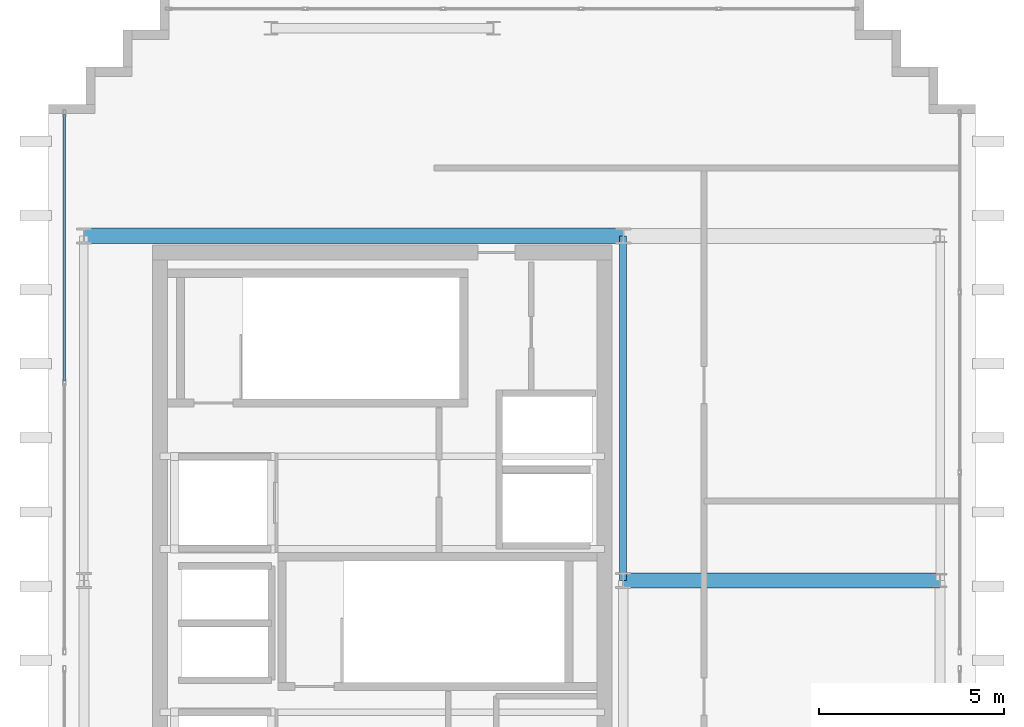
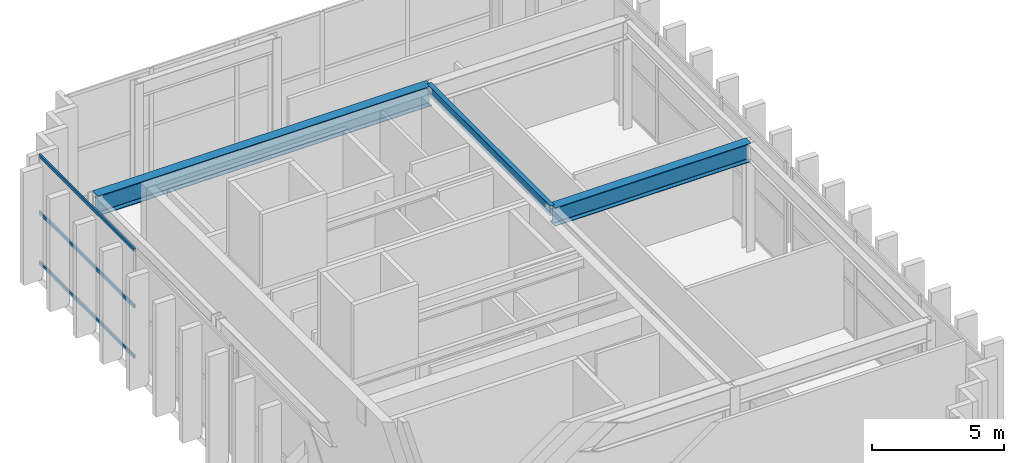
# One storey, part 7 of 14: 3 beams, 3 members, 1 element without a shape of its own.
"""IFC4 building model written with IfcOpenShell, lengths in metres."""

import ifcopenshell
import ifcopenshell.guid

model = None  # the IFC model being written
_history = None  # IfcOwnerHistory: only IFC2X3 demands one
_inside = {}  # id of a spatial element -> (the spatial element, [elements in it])
_under = {}  # id of a project, library or spatial element -> (it, [spatial elements below it])
_declared = {}  # id of a project -> (the project, [libraries it declares])
_typed = {}  # id of a type object -> (the type object, [elements of that type])
_made_of = {}  # id of a material, layer set ... -> (it, [elements and type objects made of it])


def new_model(schema):
    """Start an empty IFC model of exactly this schema.

    Asked for "IFC4X3", IfcOpenShell would pick the latest addendum, in which some entities
    have other attributes; the version numbers below select the first issue.
    IFC2X3 requires an IfcOwnerHistory on every rooted entity: one is made here for all.
    """
    global model, _history
    if schema == "IFC4X3":
        model = ifcopenshell.file(schema_version=(4, 3, 0, 0))
    else:
        model = ifcopenshell.file(schema=schema)
    _inside.clear()
    _under.clear()
    _declared.clear()
    _typed.clear()
    _made_of.clear()
    _history = None
    if model.schema == "IFC2X3":
        org = make("IfcOrganization", Name="unknown")
        user = make(
            "IfcPersonAndOrganization",
            ThePerson=make("IfcPerson", FamilyName="unknown"),
            TheOrganization=org,
        )
        app = make(
            "IfcApplication",
            ApplicationDeveloper=org,
            Version="unknown",
            ApplicationFullName="unknown",
            ApplicationIdentifier="unknown",
        )
        _history = make(
            "IfcOwnerHistory",
            OwningUser=user,
            OwningApplication=app,
            ChangeAction="ADDED",
            CreationDate=0,
        )
    return model


def make(cls, **values):
    """One entity of the class cls with the attributes given. An attribute that is None is left unset."""
    return model.create_entity(
        cls, **{name: value for name, value in values.items() if value is not None}
    )


def rooted(cls, **values):
    """An entity with a GlobalId (a new one), such as an element, a storey or a relation."""
    return make(cls, GlobalId=ifcopenshell.guid.new(), OwnerHistory=_history, **values)


def si_unit(unit_type, name, prefix=None):
    """IfcSIUnit, for example si_unit("LENGTHUNIT", "METRE", prefix="MILLI")."""
    return make("IfcSIUnit", UnitType=unit_type, Prefix=prefix, Name=name)


def assignment(units):
    """IfcUnitAssignment: the units of a project."""
    return None if units is None else make("IfcUnitAssignment", Units=units)


def point(xyz):
    """IfcCartesianPoint."""
    return None if xyz is None else make("IfcCartesianPoint", Coordinates=xyz)


def direction(xyz):
    """IfcDirection."""
    return None if xyz is None else make("IfcDirection", DirectionRatios=xyz)


def frame(location, z_axis=None, x_axis=None):
    """IfcAxis2Placement3D, a coordinate frame: its origin and axes. An axis left out is left unset."""
    return make(
        "IfcAxis2Placement3D",
        Location=point(location),
        Axis=direction(z_axis),
        RefDirection=direction(x_axis),
    )


def frame_2d(location, x_axis=None):
    """IfcAxis2Placement2D, a coordinate frame in the plane: its origin and x axis."""
    return make(
        "IfcAxis2Placement2D", Location=point(location), RefDirection=direction(x_axis)
    )


def origin():
    """The frame at (0, 0, 0) with its axes left unset."""
    return frame((0.0, 0.0, 0.0))


def origin_2d():
    """The frame at (0, 0) in the plane with its x axis left unset."""
    return frame_2d((0.0, 0.0))


def place(relative_to, where):
    """IfcLocalPlacement: puts the frame where relative to a parent placement (None: the world)."""
    return make(
        "IfcLocalPlacement", PlacementRelTo=relative_to, RelativePlacement=where
    )


def context(
    kind, dimensions, precision=None, world=None, true_north=None, identifier=None
):
    """IfcGeometricRepresentationContext, for example the 3D "Model" context."""
    return make(
        "IfcGeometricRepresentationContext",
        ContextIdentifier=identifier,
        ContextType=kind,
        CoordinateSpaceDimension=dimensions,
        Precision=precision,
        WorldCoordinateSystem=world,
        TrueNorth=true_north,
    )


def subcontext(parent, identifier, kind, view, scale=None):
    """IfcGeometricRepresentationSubContext, for example "Body" below "Model"."""
    return make(
        "IfcGeometricRepresentationSubContext",
        ContextIdentifier=identifier,
        ContextType=kind,
        ParentContext=parent,
        TargetScale=scale,
        TargetView=view,
    )


def project(units=None, contexts=None):
    """IfcProject with its units and contexts."""
    return rooted(
        "IfcProject",
        Name="project",
        RepresentationContexts=contexts,
        UnitsInContext=assignment(units),
    )


def spatial(cls, under=None, at=None, **own):
    """A site, building, storey or space (cls), placed at a placement, below another one or the project."""
    s = rooted(cls, ObjectPlacement=at, **own)
    if under is not None:
        _under.setdefault(under.id(), (under, []))[1].append(s)
    return s


def profile(cls, at=None, kind="AREA", **sizes):
    """A parametric profile (cls). Its sizes go by their IFC names, for example OverallWidth=200.0."""
    return make(cls, ProfileType=kind, Position=at, **sizes)


def hollow_rectangle(**sizes):
    """IfcRectangleHollowProfileDef."""
    return profile("IfcRectangleHollowProfileDef", **sizes)


def i_section(**sizes):
    """IfcIShapeProfileDef."""
    return profile("IfcIShapeProfileDef", **sizes)


def extrude(swept, where, along, depth):
    """IfcExtrudedAreaSolid: the profile swept, set in the frame where, extruded along a direction by depth."""
    return make(
        "IfcExtrudedAreaSolid",
        SweptArea=swept,
        Position=where,
        ExtrudedDirection=direction(along),
        Depth=depth,
    )


def shape(context_of_items, identifier, shape_type, items):
    """IfcShapeRepresentation: the items that make up one representation, for example the "Body"."""
    return make(
        "IfcShapeRepresentation",
        ContextOfItems=context_of_items,
        RepresentationIdentifier=identifier,
        RepresentationType=shape_type,
        Items=items,
    )


def source(mapping_origin, context_of_items, identifier, shape_type, items):
    """IfcRepresentationMap: a shape defined once, which mapped items show again and again."""
    return make(
        "IfcRepresentationMap",
        MappingOrigin=mapping_origin,
        MappedRepresentation=shape(context_of_items, identifier, shape_type, items),
    )


def transform(
    local_origin,
    x_axis=None,
    y_axis=None,
    z_axis=None,
    scale=None,
    scale2=None,
    scale3=None,
    uniform=True,
):
    """IfcCartesianTransformationOperator3D, or its non-uniform kind. x_axis, y_axis, z_axis: its Axis1, 2, 3."""
    if uniform:
        return make(
            "IfcCartesianTransformationOperator3D",
            Axis1=direction(x_axis),
            Axis2=direction(y_axis),
            LocalOrigin=point(local_origin),
            Scale=scale,
            Axis3=direction(z_axis),
        )
    return make(
        "IfcCartesianTransformationOperator3DnonUniform",
        Axis1=direction(x_axis),
        Axis2=direction(y_axis),
        LocalOrigin=point(local_origin),
        Scale=scale,
        Axis3=direction(z_axis),
        Scale2=scale2,
        Scale3=scale3,
    )


def mapped(mapping_source, mapping_target):
    """IfcMappedItem: shows the shape of a source again, moved by a transform."""
    return make(
        "IfcMappedItem", MappingSource=mapping_source, MappingTarget=mapping_target
    )


def material(Name=None, Category=None):
    """IfcMaterial."""
    return make("IfcMaterial", Name=Name, Category=Category)


def layer(
    of_material, thickness, ventilated=None, Name=None, Category=None, Priority=None
):
    """IfcMaterialLayer: one layer of a wall or slab, of a material (None: an air gap)."""
    return make(
        "IfcMaterialLayer",
        Material=of_material,
        LayerThickness=thickness,
        IsVentilated=ventilated,
        Name=Name,
        Category=Category,
        Priority=Priority,
    )


def layer_set(layers, Name=None):
    """IfcMaterialLayerSet."""
    return make("IfcMaterialLayerSet", MaterialLayers=layers, LayerSetName=Name)


def material_profile(
    of_material, cross_section, Name=None, Category=None, Priority=None
):
    """IfcMaterialProfile: a cross section and its material."""
    return make(
        "IfcMaterialProfile",
        Name=Name,
        Material=of_material,
        Profile=cross_section,
        Priority=Priority,
        Category=Category,
    )


def profile_set(profiles, Name=None, composite=None):
    """IfcMaterialProfileSet."""
    return make(
        "IfcMaterialProfileSet",
        Name=Name,
        MaterialProfiles=profiles,
        CompositeProfile=composite,
    )


def made_of(thing, what):
    """Note that an element or type object is made of a material, layer set ...; save() writes the relation."""
    if what is not None:
        _made_of.setdefault(what.id(), (what, []))[1].append(thing)
    return thing


def type_object(cls, material=None, **own):
    """A type object (cls), such as IfcWallType, which elements share."""
    return made_of(rooted(cls, **own), material)


def element(
    cls,
    number,
    at=None,
    inside=None,
    cuts=None,
    type_object=None,
    material=None,
    context=None,
    identifier="Body",
    shape_type=None,
    held_by="IfcProductDefinitionShape",
    body=None,
    shapes=None,
    **own,
):
    """One element of the class cls, such as IfcWall. Its Tag is "e" and its number.

    at: its placement. inside: the storey or other place that contains it. cuts: it is an
    opening in that element (IfcRelVoidsElement). A single representation is given by context,
    identifier, shape_type and body (its items); several are given by shapes. held_by: the class
    of the entity that holds the representations. save() writes the other relations.
    """
    e = rooted(cls, Tag="e%d" % number, ObjectPlacement=at, **own)
    if body is not None:
        shapes = [shape(context, identifier, shape_type, body)]
    if shapes is not None:
        e.Representation = make(held_by, Representations=shapes)
    if inside is not None:
        _inside.setdefault(inside.id(), (inside, []))[1].append(e)
    if cuts is not None:
        rooted(
            "IfcRelVoidsElement", RelatingBuildingElement=cuts, RelatedOpeningElement=e
        )
    if type_object is not None:
        _typed.setdefault(type_object.id(), (type_object, []))[1].append(e)
    return made_of(e, material)


def aggregate(whole, parts):
    """IfcRelAggregates: a whole, such as a stair, and the parts it consists of."""
    return rooted("IfcRelAggregates", RelatingObject=whole, RelatedObjects=parts)


def save(model, path):
    """Write the relations noted so far, then the file.

    IfcRelAggregates (storeys below a building ...), IfcRelContainedInSpatialStructure (elements
    in a storey), IfcRelDefinesByType, IfcRelAssociatesMaterial and IfcRelDeclares: one each for
    every whole, place, type object, material and project.
    """
    for whole, parts in _under.values():
        aggregate(whole, parts)
    for where, things in _inside.values():
        rooted(
            "IfcRelContainedInSpatialStructure",
            RelatedElements=things,
            RelatingStructure=where,
        )
    for kind, things in _typed.values():
        rooted("IfcRelDefinesByType", RelatedObjects=things, RelatingType=kind)
    for what, things in _made_of.values():
        rooted("IfcRelAssociatesMaterial", RelatedObjects=things, RelatingMaterial=what)
    for by, libraries in _declared.values():
        rooted("IfcRelDeclares", RelatingContext=by, RelatedDefinitions=libraries)
    model.write(path)


model = new_model("IFC4")

# Units and contexts
model_context = context("Model", 3, precision=1e-05, world=origin(), true_north=direction((0.0, 1.0)))
body_context = subcontext(model_context, "Body", "Model", "MODEL_VIEW")
ifc_project = project(units=[si_unit("LENGTHUNIT", "METRE"), si_unit("AREAUNIT", "SQUARE_METRE"), si_unit("VOLUMEUNIT", "CUBIC_METRE"), si_unit("PLANEANGLEUNIT", "RADIAN"), si_unit("MASSUNIT", "GRAM", prefix="KILO")], contexts=[model_context])

# Site, building, storey
site_placement = place(None, origin())
site = spatial("IfcSite", under=ifc_project, at=site_placement, CompositionType="ELEMENT")
building_placement = place(site_placement, origin())
building = spatial("IfcBuilding", under=site, at=building_placement, Name="Ocotamira Hotel", CompositionType="ELEMENT")
storey_placement = place(building_placement, frame((0.0, 0.0, 309.60009765625)))
storey = spatial("IfcBuildingStorey", under=building, at=storey_placement, Name="L79", CompositionType="ELEMENT", Elevation=309.60009765625)

# Beams
ifc_material_1 = material(Name="Steel ASTM A992 Grade 50", Category="steel")
ifc_material_profile_1 = material_profile(ifc_material_1, i_section(OverallWidth=0.41796875, OverallDepth=0.927001953125, WebThickness=0.019287109375, FlangeThickness=0.031982421875, FilletRadius=0.02392578125, at=origin_2d()), Name="W36X231")
ifc_profile_set_1 = profile_set([ifc_material_profile_1], Name="Steel ASTM A992 Grade 50")
beam_type_1 = type_object("IfcBeamType", Name="BM-GIRD-W36X231", PredefinedType="BEAM", material=ifc_profile_set_1)
shared_shape_1 = source(origin(), body_context, "Body", "SweptSolid", [
    extrude(i_section(OverallWidth=0.41796875, OverallDepth=0.927001953125, WebThickness=0.019287109375, FlangeThickness=0.031982421875, FilletRadius=0.02392578125, at=origin_2d()), origin(), (0.0, 0.0, 1.0), 14.550048828125),
])
beam_1_placement = place(storey_placement, frame((8.949951171875, 37.449951171875, 4.536376953125), z_axis=(1.0, 0.0, 0.0), x_axis=(0.0, 1.0, 0.0)))
element("IfcBeam", 1, at=beam_1_placement, inside=storey, type_object=beam_type_1, Name="L79 Girder Y37.45 X8.95-23.5", PredefinedType="BEAM", context=body_context, shape_type="MappedRepresentation", body=[
    mapped(shared_shape_1, transform((0.0, 0.0, 0.0), scale=1.0)),
])
ifc_material_profile_2 = material_profile(ifc_material_1, i_section(OverallWidth=0.18994140625, OverallDepth=0.45703125, WebThickness=0.009033203125, FlangeThickness=0.014404296875, FilletRadius=0.010009765625, at=origin_2d()), Name="W18X50")
ifc_profile_set_2 = profile_set([ifc_material_profile_2], Name="Steel ASTM A992 Grade 50")
beam_type_2 = type_object("IfcBeamType", Name="BM-SEC-W18X50", PredefinedType="JOIST", material=ifc_profile_set_2)
shared_shape_2 = source(origin(), body_context, "Body", "SweptSolid", [
    extrude(i_section(OverallWidth=0.18994140625, OverallDepth=0.45703125, WebThickness=0.009033203125, FlangeThickness=0.014404296875, FilletRadius=0.010009765625, at=origin_2d()), origin(), (0.0, 0.0, 1.0), 9.300048828125),
])
beam_2_placement = place(storey_placement, frame((23.5, 28.14990234375, 4.771484375), z_axis=(0.0, 1.0, 0.0), x_axis=(-1.0, 0.0, 0.0)))
element("IfcBeam", 2, at=beam_2_placement, inside=storey, type_object=beam_type_2, Name="L79 Beam X23.5 Y28.15-37.45", PredefinedType="JOIST", context=body_context, shape_type="MappedRepresentation", body=[
    mapped(shared_shape_2, transform((0.0, 0.0, 0.0), scale=1.0)),
])
ifc_material_profile_3 = material_profile(ifc_material_1, i_section(OverallWidth=0.39990234375, OverallDepth=0.85595703125, WebThickness=0.018310546875, FlangeThickness=0.029296875, FilletRadius=0.02001953125, at=origin_2d()), Name="W33X201")
ifc_profile_set_3 = profile_set([ifc_material_profile_3], Name="Steel ASTM A992 Grade 50")
beam_type_3 = type_object("IfcBeamType", Name="BM-GIRD-W33X201", PredefinedType="BEAM", material=ifc_profile_set_3)
shared_shape_3 = source(origin(), body_context, "Body", "SweptSolid", [
    extrude(i_section(OverallWidth=0.39990234375, OverallDepth=0.85595703125, WebThickness=0.018310546875, FlangeThickness=0.029296875, FilletRadius=0.02001953125, at=origin_2d()), origin(), (0.0, 0.0, 1.0), 8.550048828125),
])
beam_3_placement = place(storey_placement, frame((23.5, 28.14990234375, 4.572021484375), z_axis=(1.0, 0.0, 0.0), x_axis=(0.0, 1.0, 0.0)))
element("IfcBeam", 3, at=beam_3_placement, inside=storey, type_object=beam_type_3, Name="L79 Girder Y28.15 X23.5-32.05", PredefinedType="BEAM", context=body_context, shape_type="MappedRepresentation", body=[
    mapped(shared_shape_3, transform((0.0, 0.0, 0.0), scale=1.0)),
])

# Curtain wall, members
ifc_material_2 = material(Name="Anodised pale-metal aluminium and solar glass", Category="aluminium")
ifc_layer = layer(ifc_material_2, 0.2099609375)
ifc_layer_set = layer_set([ifc_layer], Name="Anodised pale-metal aluminium and solar glass")
curtain_wall_type = type_object("IfcCurtainWallType", Name="CW-SYS7-PEAK", PredefinedType="NOTDEFINED", material=ifc_layer_set)
curtain_wall_placement = place(storey_placement, origin())
curtain_wall = element("IfcCurtainWall", 4, at=curtain_wall_placement, inside=storey, type_object=curtain_wall_type, Name="L79 Curtain Wall CW-7 CW-L79-W2", PredefinedType="NOTDEFINED")
ifc_material_3 = material(Name="Anodised pale-metal aluminium 6063-T6", Category="aluminium")
ifc_material_profile_4 = material_profile(ifc_material_3, hollow_rectangle(XDim=0.074951171875, YDim=0.14990234375, WallThickness=0.006103515625, at=origin_2d()), Name="HSS150X75X6")
ifc_profile_set_4 = profile_set([ifc_material_profile_4], Name="Anodised pale-metal aluminium 6063-T6")
member_type = type_object("IfcMemberType", Name="CWT-150X75", PredefinedType="USERDEFINED", material=ifc_profile_set_4)
shared_shape_4 = source(origin(), body_context, "Body", "SweptSolid", [
    extrude(hollow_rectangle(XDim=0.074951171875, YDim=0.14990234375, WallThickness=0.006103515625, at=origin_2d()), origin(), (0.0, 0.0, 1.0), 7.179931640625),
])
member_1_placement = place(storey_placement, frame((8.419921875, 33.5400390625, 0.037353515625), z_axis=(0.0, 1.0, 0.0), x_axis=(-1.0, 0.0, 0.0)))
member_1 = element("IfcMember", 5, at=member_1_placement, type_object=member_type, Name="CW-7 transom 2.1", ObjectType="TRANSOM", PredefinedType="USERDEFINED", context=body_context, shape_type="MappedRepresentation", body=[
    mapped(shared_shape_4, transform((0.0, 0.0, 0.0), scale=1.0)),
])
member_2_placement = place(storey_placement, frame((8.419921875, 33.5400390625, 2.349853515625), z_axis=(0.0, 1.0, 0.0), x_axis=(-1.0, 0.0, 0.0)))
member_2 = element("IfcMember", 6, at=member_2_placement, type_object=member_type, Name="CW-7 transom 2.2", ObjectType="TRANSOM", PredefinedType="USERDEFINED", context=body_context, shape_type="MappedRepresentation", body=[
    mapped(shared_shape_4, transform((0.0, 0.0, 0.0), scale=1.0)),
])
member_3_placement = place(storey_placement, frame((8.419921875, 33.5400390625, 4.96240234375), z_axis=(0.0, 1.0, 0.0), x_axis=(-1.0, 0.0, 0.0)))
member_3 = element("IfcMember", 7, at=member_3_placement, type_object=member_type, Name="CW-7 transom 2.3", ObjectType="TRANSOM", PredefinedType="USERDEFINED", context=body_context, shape_type="MappedRepresentation", body=[
    mapped(shared_shape_4, transform((0.0, 0.0, 0.0), scale=1.0)),
])
aggregate(curtain_wall, [member_1, member_2, member_3])

save(model, "model.ifc")
